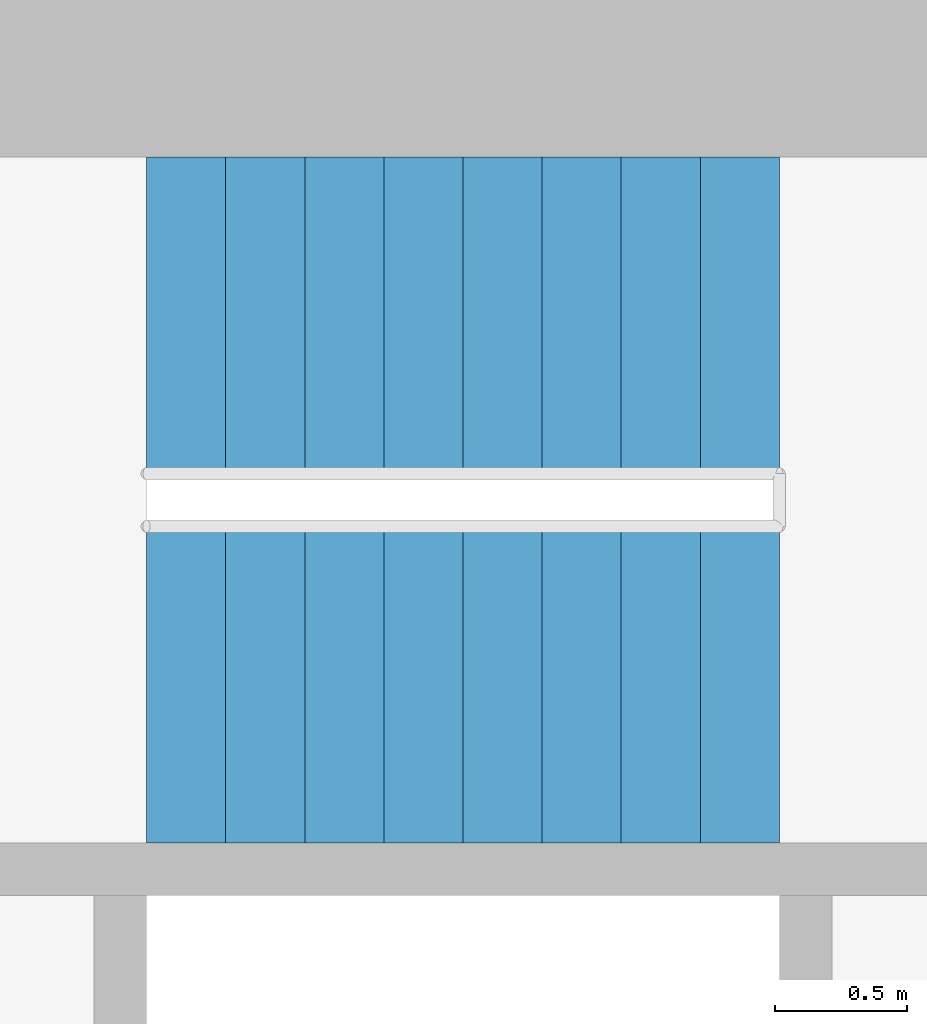
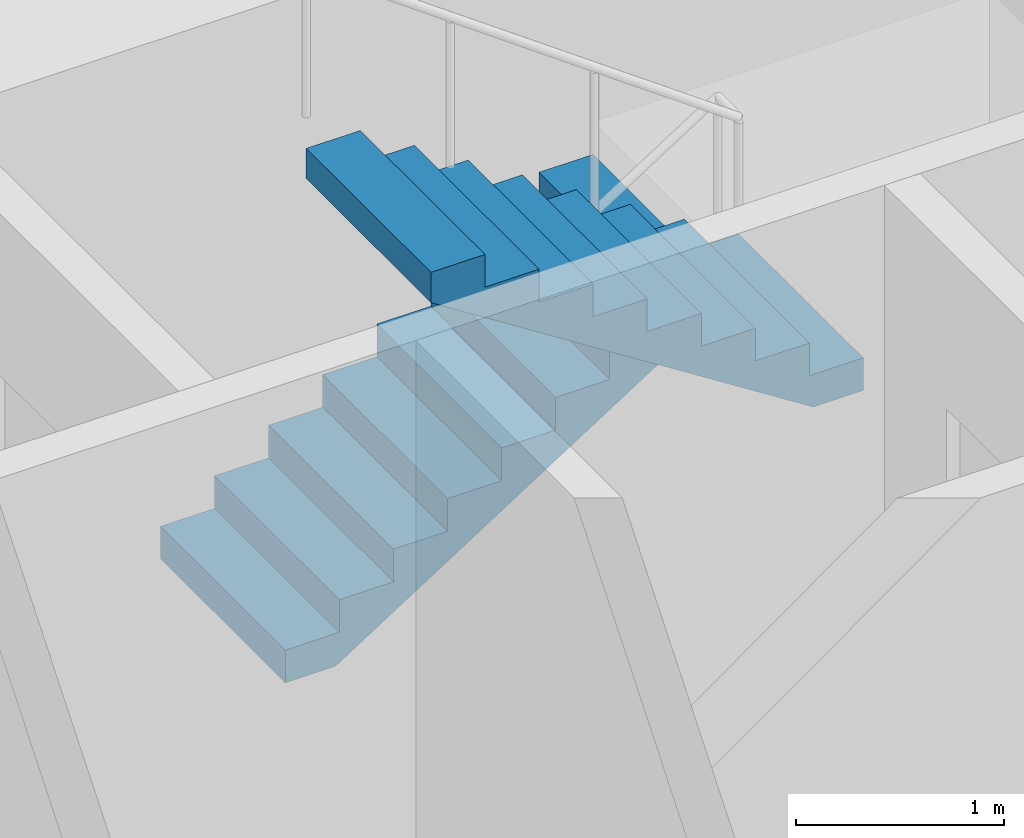
# One storey, part 12 of 14: 2 stair flights, 1 element without a shape of its own.
"""IFC4 building model written with IfcOpenShell, lengths in metres."""

from ifc_helpers import new_model, si_unit, direction, frame, origin, place, context, subcontext, project, spatial, polyline, outline, extrude, material, type_object, element, aggregate, save


model = new_model("IFC4")

# Units and contexts
model_context = context("Model", 3, precision=1e-05, world=origin(), true_north=direction((0.0, 1.0)))
body_context = subcontext(model_context, "Body", "Model", "MODEL_VIEW")
ifc_project = project(units=[si_unit("LENGTHUNIT", "METRE"), si_unit("AREAUNIT", "SQUARE_METRE"), si_unit("VOLUMEUNIT", "CUBIC_METRE"), si_unit("PLANEANGLEUNIT", "RADIAN"), si_unit("MASSUNIT", "GRAM", prefix="KILO")], contexts=[model_context])

# Site, building, storey
site_placement = place(None, origin())
site = spatial("IfcSite", under=ifc_project, at=site_placement, CompositionType="ELEMENT")
building_placement = place(site_placement, origin())
building = spatial("IfcBuilding", under=site, at=building_placement, Name="Kitamizu Gate Tower and Museum", CompositionType="ELEMENT")
storey_placement = place(building_placement, frame((0.0, 0.0, 61.050048828125)))
storey = spatial("IfcBuildingStorey", under=building, at=storey_placement, Name="L14", CompositionType="ELEMENT", Elevation=61.050048828125)

# Stair, stair flights
ifc_material_1 = material(Name="Concrete Fc42", Category="concrete")
stair_type = type_object("IfcStairType", Name="Exit stair 1200 wide 192 rise 300 going", PredefinedType="HALF_TURN_STAIR", material=ifc_material_1)
stair_placement = place(storey_placement, origin())
stair = element("IfcStair", 1, at=stair_placement, inside=storey, type_object=stair_type, Name="Exit stair ST4", PredefinedType="HALF_TURN_STAIR")
ifc_material_2 = material(Name="Concrete Fc42", Category="concrete")
stair_flight_type = type_object("IfcStairFlightType", Name="Stair flight 1200 wide 192 rise 300 going", PredefinedType="STRAIGHT", material=ifc_material_2)
stair_flight_1_placement = place(storey_placement, frame((54.10009765625, 37.10009765625, 0.0), z_axis=(0.0, 0.0, 1.0), x_axis=(1.0, 0.0, 0.0)))
stair_flight_1 = element("IfcStairFlight", 2, at=stair_flight_1_placement, type_object=stair_flight_type, Name="ST4 flight 1", NumberOfRisers=9, NumberOfTreads=8, PredefinedType="STRAIGHT", RiserHeight=0.191666667, TreadLength=0.3, context=body_context, shape_type="SweptSolid", body=[
    extrude(outline(polyline([(0.0, 0.0), (0.0, 0.191650390625), (0.300048828125, 0.191650390625), (0.300048828125, 0.38330078125), (0.60009765625, 0.38330078125), (0.60009765625, 0.574951171875), (0.89990234375, 0.574951171875), (0.89990234375, 0.7666015625), (1.199951171875, 0.7666015625), (1.199951171875, 0.958251953125), (1.5, 0.958251953125), (1.5, 1.14990234375), (1.800048828125, 1.14990234375), (1.800048828125, 1.341552734375), (2.10009765625, 1.341552734375), (2.10009765625, 1.533447265625), (2.39990234375, 1.533447265625), (2.39990234375, 1.72509765625), (2.39990234375, 1.35546875), (0.2783203125, 0.0), (0.0, 0.0)])), frame((0.0, 0.60009765625, 0.0), z_axis=(0.0, -1.0, 0.0), x_axis=(1.0, 0.0, 0.0)), (0.0, 0.0, 1.0), 1.199951171875),
])
stair_flight_2_placement = place(storey_placement, frame((56.5, 35.699951171875, 1.724853515625), z_axis=(0.0, 0.0, 1.0), x_axis=(-1.0, 0.0, 0.0)))
stair_flight_2 = element("IfcStairFlight", 3, at=stair_flight_2_placement, type_object=stair_flight_type, Name="ST4 flight 2", NumberOfRisers=9, NumberOfTreads=8, PredefinedType="STRAIGHT", RiserHeight=0.191666667, TreadLength=0.3, context=body_context, shape_type="SweptSolid", body=[
    extrude(outline(polyline([(0.0, 0.0), (0.0, 0.191650390625), (0.300048828125, 0.191650390625), (0.300048828125, 0.38330078125), (0.60009765625, 0.38330078125), (0.60009765625, 0.574951171875), (0.89990234375, 0.574951171875), (0.89990234375, 0.7666015625), (1.199951171875, 0.7666015625), (1.199951171875, 0.958251953125), (1.5, 0.958251953125), (1.5, 1.14990234375), (1.800048828125, 1.14990234375), (1.800048828125, 1.341552734375), (2.10009765625, 1.341552734375), (2.10009765625, 1.533447265625), (2.39990234375, 1.533447265625), (2.39990234375, 1.72509765625), (2.39990234375, 1.35546875), (0.2783203125, 0.0), (0.0, 0.0)])), frame((0.0, 0.60009765625, 0.0), z_axis=(0.0, -1.0, 0.0), x_axis=(1.0, 0.0, 0.0)), (0.0, 0.0, 1.0), 1.199951171875),
])
aggregate(stair, [stair_flight_1, stair_flight_2])

save(model, "model.ifc")
